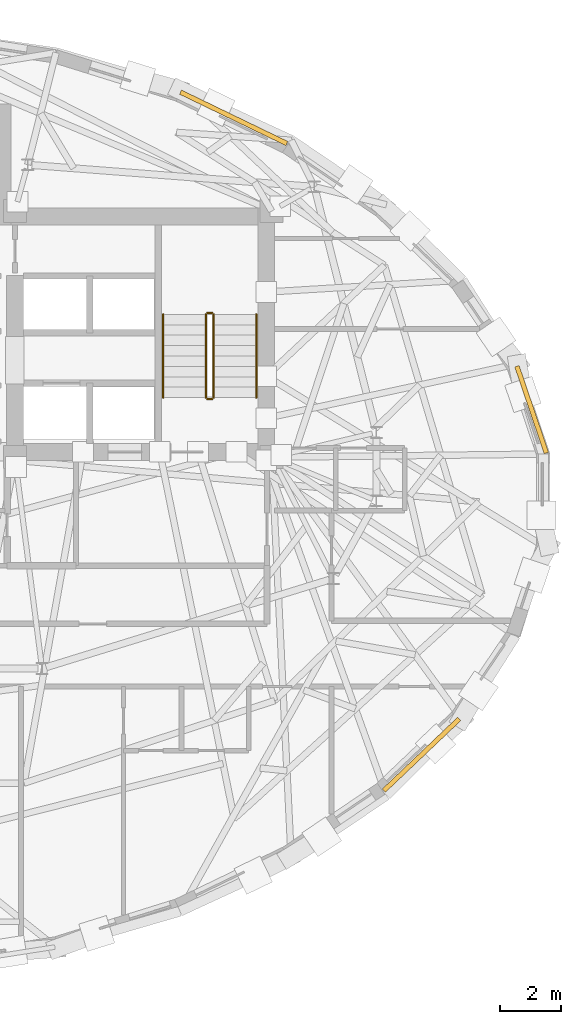
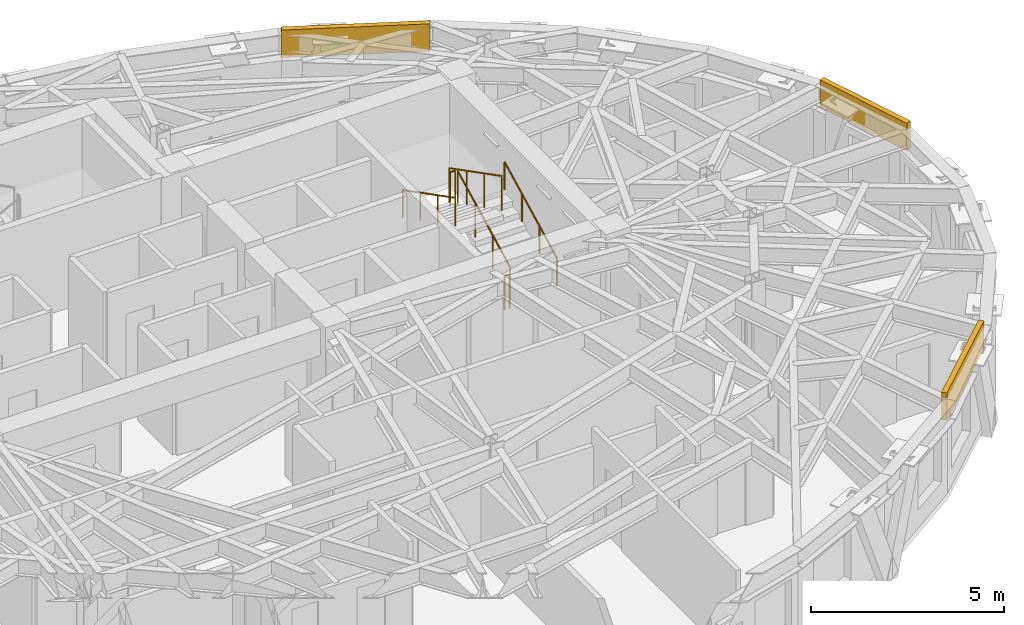
# One storey, part 14 of 14: 6 railings, 3 coverings.
"""IFC4 building model written with IfcOpenShell, lengths in metres."""

from ifc_helpers import new_model, si_unit, direction, frame, origin, origin_2d, place, context, subcontext, project, spatial, rectangle, circle, extrude, material, layer, layer_set, type_object, element, save


model = new_model("IFC4")

# Units and contexts
model_context = context("Model", 3, precision=1e-05, world=origin(), true_north=direction((0.0, 1.0)))
body_context = subcontext(model_context, "Body", "Model", "MODEL_VIEW")
ifc_project = project(units=[si_unit("LENGTHUNIT", "METRE"), si_unit("AREAUNIT", "SQUARE_METRE"), si_unit("VOLUMEUNIT", "CUBIC_METRE"), si_unit("PLANEANGLEUNIT", "RADIAN"), si_unit("MASSUNIT", "GRAM", prefix="KILO")], contexts=[model_context])

# Site, building, storey
site_placement = place(None, origin())
site = spatial("IfcSite", under=ifc_project, at=site_placement, CompositionType="ELEMENT")
building_placement = place(site_placement, origin())
building = spatial("IfcBuilding", under=site, at=building_placement, Name="Keldmark Tower", CompositionType="ELEMENT")
storey_placement = place(building_placement, frame((0.0, 0.0, 225.75)))
storey = spatial("IfcBuildingStorey", under=building, at=storey_placement, Name="L63", CompositionType="ELEMENT", Elevation=225.75)

# Coverings
ifc_material_1 = material(Name="Honed Kasota Buff Dolomitic Limestone", Category="masonry")
ifc_layer = layer(ifc_material_1, 0.074951171875)
ifc_layer_set = layer_set([ifc_layer], Name="Honed Kasota Buff Dolomitic Limestone")
covering_type = type_object("IfcCoveringType", Name="Kasota Buff Limestone Spandrel Cladding Band", PredefinedType="CLADDING", material=ifc_layer_set)
covering_1_placement = place(storey_placement, frame((22.104736328125, 2.9560546875, 2.260009765625), z_axis=(0.0, 0.0, 1.0), x_axis=(-0.321323773565, 0.946969393667, 0.0)))
element("IfcCovering", 1, at=covering_1_placement, inside=storey, type_object=covering_type, Name="L63 Kasota Limestone Spandrel Band 01", PredefinedType="CLADDING", context=body_context, shape_type="SweptSolid", body=[
    extrude(rectangle(XDim=2.994384765625, YDim=0.14990234375, at=origin_2d()), origin(), (0.0, 0.0, 1.0), 0.8701171875),
])
covering_2_placement = place(storey_placement, frame((12.35791015625, 12.500244140625, 2.260009765625), z_axis=(0.0, 0.0, 1.0), x_axis=(-0.900326367481, 0.435215385779, 0.0)))
element("IfcCovering", 2, at=covering_2_placement, inside=storey, type_object=covering_type, Name="L63 Kasota Limestone Spandrel Band 05", PredefinedType="CLADDING", context=body_context, shape_type="SweptSolid", body=[
    extrude(rectangle(XDim=3.86181640625, YDim=0.14990234375, at=origin_2d()), origin(), (0.0, 0.0, 1.0), 0.8701171875),
])
covering_3_placement = place(storey_placement, frame((18.502685546875, -8.33349609375, 2.260009765625), z_axis=(0.0, 0.0, 1.0), x_axis=(0.724508786636, 0.689265564269, 0.0)))
element("IfcCovering", 3, at=covering_3_placement, inside=storey, type_object=covering_type, Name="L63 Kasota Limestone Spandrel Band 29", PredefinedType="CLADDING", context=body_context, shape_type="SweptSolid", body=[
    extrude(rectangle(XDim=3.4072265625, YDim=0.14990234375, at=origin_2d()), origin(), (0.0, 0.0, 1.0), 0.8701171875),
])

# Railings
ifc_material_2 = material(Name="Painted Steel ASTM A500 Grade B", Category="steel")
railing_type_1 = type_object("IfcRailingType", Name="Painted Steel Stair Well Guard 1100 mm", PredefinedType="GUARDRAIL", material=ifc_material_2)
railing_1_placement = place(storey_placement, frame((11.699951171875, 3.35009765625, 0.175048828125)))
element("IfcRailing", 4, at=railing_1_placement, inside=storey, type_object=railing_type_1, Name="L63 ST2 stair guard 1", PredefinedType="GUARDRAIL", context=body_context, shape_type="SweptSolid", body=[
    extrude(circle(Radius=0.02392578125, at=origin_2d()), frame((0.0, 0.0, 1.076171875), z_axis=(0.0, 0.889146794209, 0.457622091194), x_axis=(-1.0, 0.0, 0.0)), (0.0, 0.0, 1.0), 3.05908203125),
    extrude(circle(Radius=0.02099609375, at=origin_2d()), origin(), (0.0, 0.0, 1.0), 1.052001953125),
    extrude(circle(Radius=0.02099609375, at=origin_2d()), frame((0.0, 0.90673828125, 0.466552734375)), (0.0, 0.0, 1.0), 1.052001953125),
    extrude(circle(Radius=0.02099609375, at=origin_2d()), frame((0.0, 1.813232421875, 0.933349609375)), (0.0, 0.0, 1.0), 1.052001953125),
    extrude(circle(Radius=0.02099609375, at=origin_2d()), frame((0.0, 2.719970703125, 1.39990234375)), (0.0, 0.0, 1.0), 1.052001953125),
])
railing_2_placement = place(storey_placement, frame((11.64990234375, 6.1201171875, 1.574951171875)))
element("IfcRailing", 5, at=railing_2_placement, inside=storey, type_object=railing_type_1, Name="L63 ST2 stair guard 2", PredefinedType="GUARDRAIL", context=body_context, shape_type="SweptSolid", body=[
    extrude(circle(Radius=0.02392578125, at=origin_2d()), frame((0.0, 0.0, 1.076171875), z_axis=(-1.0, 0.0, 0.0), x_axis=(0.0, -1.0, 0.0)), (0.0, 0.0, 1.0), 0.14990234375),
    extrude(circle(Radius=0.02099609375, at=origin_2d()), origin(), (0.0, 0.0, 1.0), 1.052001953125),
    extrude(circle(Radius=0.02099609375, at=origin_2d()), frame((-0.14990234375, 0.0, 0.0)), (0.0, 0.0, 1.0), 1.052001953125),
])
railing_3_placement = place(storey_placement, frame((11.449951171875, 6.070068359375, 1.75)))
element("IfcRailing", 6, at=railing_3_placement, inside=storey, type_object=railing_type_1, Name="L63 ST2 stair guard 3", PredefinedType="GUARDRAIL", context=body_context, shape_type="SweptSolid", body=[
    extrude(circle(Radius=0.02392578125, at=origin_2d()), frame((0.0, 0.0, 1.076171875), z_axis=(0.0, -0.889146794209, 0.457622091194), x_axis=(1.0, 0.0, 0.0)), (0.0, 0.0, 1.0), 3.05908203125),
    extrude(circle(Radius=0.02099609375, at=origin_2d()), origin(), (0.0, 0.0, 1.0), 1.052001953125),
    extrude(circle(Radius=0.02099609375, at=origin_2d()), frame((0.0, -0.90673828125, 0.466552734375)), (0.0, 0.0, 1.0), 1.052001953125),
    extrude(circle(Radius=0.02099609375, at=origin_2d()), frame((0.0, -1.813232421875, 0.933349609375)), (0.0, 0.0, 1.0), 1.052001953125),
    extrude(circle(Radius=0.02099609375, at=origin_2d()), frame((0.0, -2.719970703125, 1.39990234375)), (0.0, 0.0, 1.0), 1.052001953125),
])
railing_4_placement = place(storey_placement, frame((11.64990234375, 3.300048828125, 0.0)))
element("IfcRailing", 7, at=railing_4_placement, inside=storey, type_object=railing_type_1, Name="L63 ST2 stair guard 4", PredefinedType="GUARDRAIL", context=body_context, shape_type="SweptSolid", body=[
    extrude(circle(Radius=0.02392578125, at=origin_2d()), frame((0.0, 0.0, 1.076171875), z_axis=(-1.0, 0.0, 0.0), x_axis=(0.0, -1.0, 0.0)), (0.0, 0.0, 1.0), 0.14990234375),
    extrude(circle(Radius=0.02099609375, at=origin_2d()), origin(), (0.0, 0.0, 1.0), 1.052001953125),
    extrude(circle(Radius=0.02099609375, at=origin_2d()), frame((-0.14990234375, 0.0, 0.0)), (0.0, 0.0, 1.0), 1.052001953125),
])
ifc_material_3 = material(Name="Stainless Steel AISI 316L", Category="steel")
railing_type_2 = type_object("IfcRailingType", Name="Stainless Steel Stair Handrail 900 mm", PredefinedType="HANDRAIL", material=ifc_material_3)
railing_5_placement = place(storey_placement, frame((13.10009765625, 3.35009765625, 0.175048828125)))
element("IfcRailing", 8, at=railing_5_placement, inside=storey, type_object=railing_type_2, Name="L63 ST2 stair handrail 1", PredefinedType="HANDRAIL", context=body_context, shape_type="SweptSolid", body=[
    extrude(circle(Radius=0.02392578125, at=origin_2d()), frame((0.0, 0.0, 0.8759765625), z_axis=(0.0, 0.889146794209, 0.457622091194), x_axis=(-1.0, 0.0, 0.0)), (0.0, 0.0, 1.0), 3.05908203125),
    extrude(circle(Radius=0.02099609375, at=origin_2d()), origin(), (0.0, 0.0, 1.0), 0.851806640625),
    extrude(circle(Radius=0.02099609375, at=origin_2d()), frame((0.0, 0.90673828125, 0.466552734375)), (0.0, 0.0, 1.0), 0.851806640625),
    extrude(circle(Radius=0.02099609375, at=origin_2d()), frame((0.0, 1.813232421875, 0.933349609375)), (0.0, 0.0, 1.0), 0.851806640625),
    extrude(circle(Radius=0.02099609375, at=origin_2d()), frame((0.0, 2.719970703125, 1.39990234375)), (0.0, 0.0, 1.0), 0.851806640625),
])
railing_6_placement = place(storey_placement, frame((10.050048828125, 6.070068359375, 1.75)))
element("IfcRailing", 9, at=railing_6_placement, inside=storey, type_object=railing_type_2, Name="L63 ST2 stair handrail 2", PredefinedType="HANDRAIL", context=body_context, shape_type="SweptSolid", body=[
    extrude(circle(Radius=0.02392578125, at=origin_2d()), frame((0.0, 0.0, 0.8759765625), z_axis=(0.0, -0.889146794209, 0.457622091194), x_axis=(1.0, 0.0, 0.0)), (0.0, 0.0, 1.0), 3.05908203125),
    extrude(circle(Radius=0.02099609375, at=origin_2d()), origin(), (0.0, 0.0, 1.0), 0.851806640625),
    extrude(circle(Radius=0.02099609375, at=origin_2d()), frame((0.0, -0.90673828125, 0.466552734375)), (0.0, 0.0, 1.0), 0.851806640625),
    extrude(circle(Radius=0.02099609375, at=origin_2d()), frame((0.0, -1.813232421875, 0.933349609375)), (0.0, 0.0, 1.0), 0.851806640625),
    extrude(circle(Radius=0.02099609375, at=origin_2d()), frame((0.0, -2.719970703125, 1.39990234375)), (0.0, 0.0, 1.0), 0.851806640625),
])

save(model, "model.ifc")
